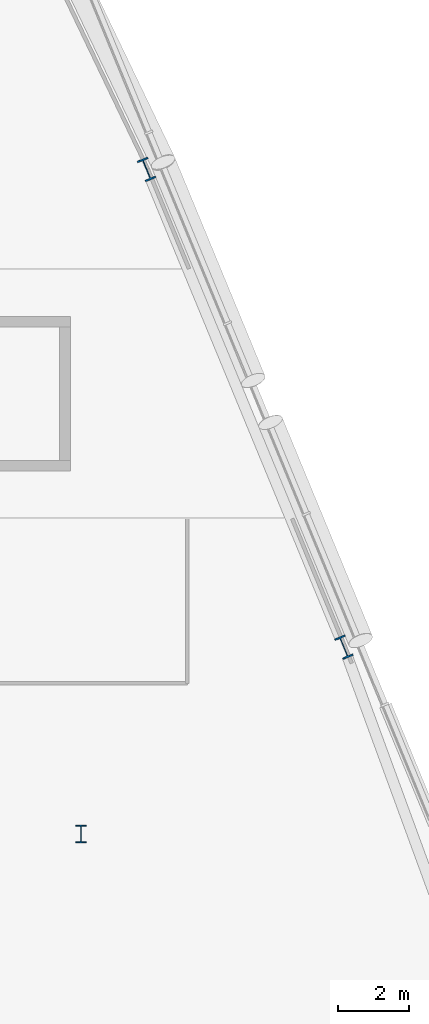
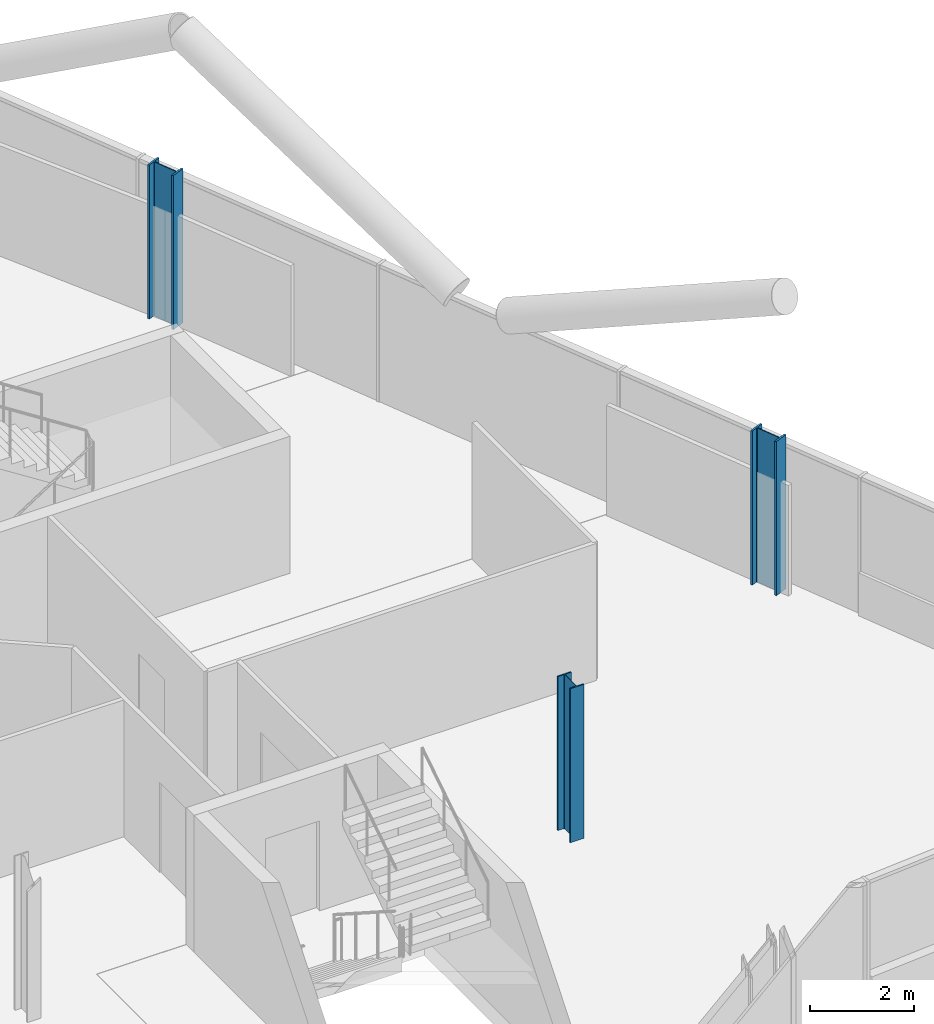
# One storey, part 5 of 26: 3 columns.
"""IFC4 building model written with IfcOpenShell, lengths in metres."""

from ifc_helpers import new_model, si_unit, direction, frame, origin, origin_2d, place, context, subcontext, project, spatial, i_section, extrude, material, material_profile, profile_set, type_object, element, save


model = new_model("IFC4")

# Units and contexts
model_context = context("Model", 3, precision=1e-05, world=origin(), true_north=direction((0.0, 1.0)))
body_context = subcontext(model_context, "Body", "Model", "MODEL_VIEW")
ifc_project = project(units=[si_unit("LENGTHUNIT", "METRE"), si_unit("AREAUNIT", "SQUARE_METRE"), si_unit("VOLUMEUNIT", "CUBIC_METRE"), si_unit("PLANEANGLEUNIT", "RADIAN"), si_unit("MASSUNIT", "GRAM", prefix="KILO")], contexts=[model_context])

# Site, building, storey
site_placement = place(None, origin())
site = spatial("IfcSite", under=ifc_project, at=site_placement, CompositionType="ELEMENT")
building_placement = place(site_placement, origin())
building = spatial("IfcBuilding", under=site, at=building_placement, Name="Wharfspan Tower", CompositionType="ELEMENT")
storey_placement = place(building_placement, frame((0.0, 0.0, 173.5)))
storey = spatial("IfcBuildingStorey", under=building, at=storey_placement, Name="L42", CompositionType="ELEMENT", Elevation=173.5)

# Columns
ifc_material = material(Name="Steel S355J2", Category="steel")
ifc_material_profile_1 = material_profile(ifc_material, i_section(OverallWidth=0.300049, OverallDepth=0.5, WebThickness=0.014404, FlangeThickness=0.028076, FilletRadius=0.0271, at=origin_2d()))
ifc_profile_set_1 = profile_set([ifc_material_profile_1], Name="Steel S355J2")
column_type_1 = type_object("IfcColumnType", Name="Column HEB 500", PredefinedType="COLUMN", material=ifc_profile_set_1)
column_placement = place(storey_placement, frame((72.0, 11.5, 0.0), z_axis=(0.0, 0.0, 1.0), x_axis=(1.0, 0.0, 0.0)))
element("IfcColumn", 1, at=column_placement, inside=storey, type_object=column_type_1, Name="Interior column I.1.5 L42", PredefinedType="COLUMN", context=body_context, shape_type="SweptSolid", body=[
    extrude(i_section(OverallWidth=0.300049, OverallDepth=0.5, WebThickness=0.014404, FlangeThickness=0.028076, FilletRadius=0.0271, at=origin_2d()), origin(), (0.0, 0.0, 1.0), 3.600098),
])
ifc_material_profile_2 = material_profile(ifc_material, i_section(OverallWidth=0.304932, OverallDepth=0.620117, WebThickness=0.020996, FlangeThickness=0.040039, FilletRadius=0.0271, at=origin_2d()))
ifc_profile_set_2 = profile_set([ifc_material_profile_2], Name="Steel S355J2")
column_type_2 = type_object("IfcColumnType", Name="Column HEM 600", PredefinedType="COLUMN", material=ifc_profile_set_2)
for number, where, z_axis, x_axis, name in (
    (2, (79.409668, 16.761719, 0.0), (0.0, 0.0, 1.0), (0.924325, 0.381602, 0.0), "Perimeter column PE.1 L42"),
    (3, (73.85376, 30.219238, 0.0), (0.0, 0.0, 1.0), (0.924325, 0.381602, 0.0), "Perimeter column PE.2 L42"),
):
    element("IfcColumn", number, at=place(storey_placement, frame(where, z_axis=z_axis, x_axis=x_axis)), inside=storey, type_object=column_type_2, Name=name, PredefinedType="COLUMN", context=body_context, shape_type="SweptSolid", body=[
        extrude(i_section(OverallWidth=0.304932, OverallDepth=0.620117, WebThickness=0.020996, FlangeThickness=0.040039, FilletRadius=0.0271, at=origin_2d()), origin(), (0.0, 0.0, 1.0), 3.600098),
    ])

save(model, "model.ifc")
